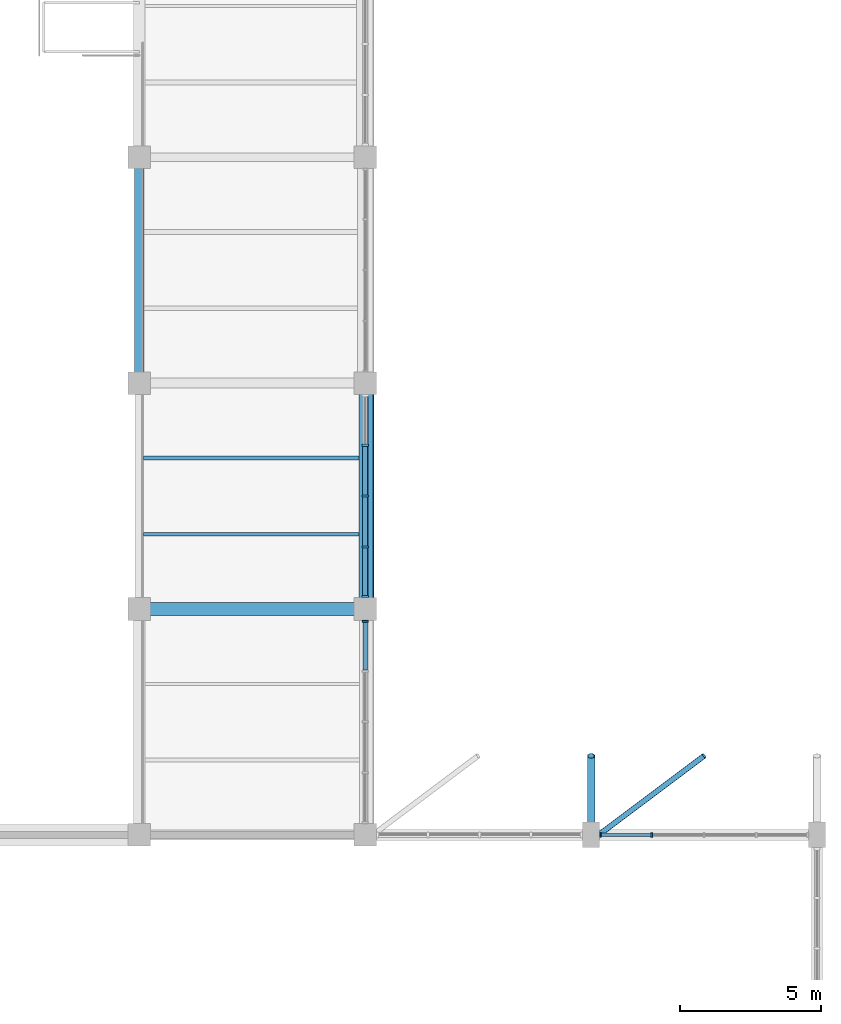
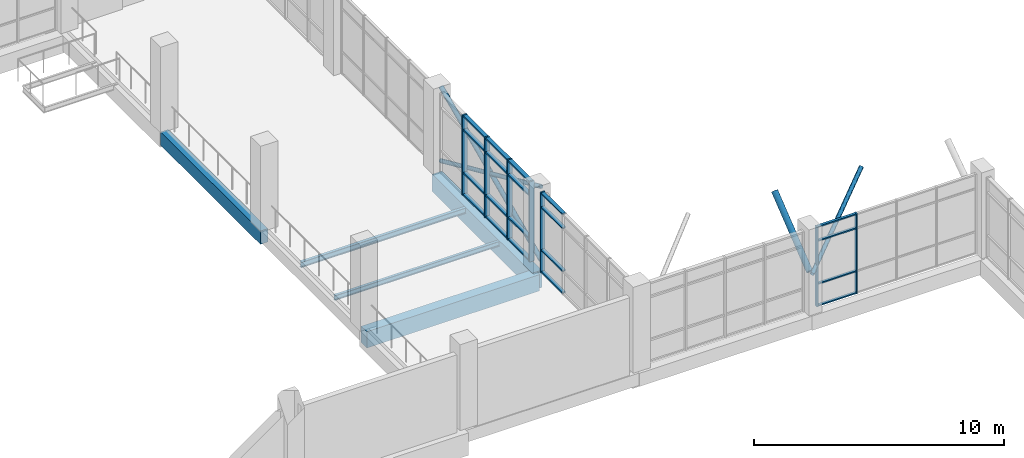
# One storey, part 44 of 84: 31 members, 5 beams, 3 elements without a shape of their own.
"""IFC4 building model written with IfcOpenShell, lengths in metres."""

from ifc_helpers import new_model, si_unit, direction, frame, origin, origin_2d, place, context, subcontext, project, spatial, rectangle, hollow_circle, i_section, extrude, material, material_profile, profile_set, type_object, element, aggregate, save


model = new_model("IFC4")

# Units and contexts
model_context = context("Model", 3, precision=1e-05, world=origin(), true_north=direction((0.0, 1.0)))
body_context = subcontext(model_context, "Body", "Model", "MODEL_VIEW")
ifc_project = project(units=[si_unit("LENGTHUNIT", "METRE"), si_unit("AREAUNIT", "SQUARE_METRE"), si_unit("VOLUMEUNIT", "CUBIC_METRE"), si_unit("PLANEANGLEUNIT", "RADIAN"), si_unit("MASSUNIT", "GRAM", prefix="KILO")], contexts=[model_context])

# Site, building, storey
site_placement = place(None, origin())
site = spatial("IfcSite", under=ifc_project, at=site_placement, CompositionType="ELEMENT")
building_placement = place(site_placement, origin())
building = spatial("IfcBuilding", under=site, at=building_placement, Name="Tenunan Teduh Sports Hall", CompositionType="ELEMENT")
storey_placement = place(building_placement, frame((0.0, 0.0, 10.800048828125)))
storey = spatial("IfcBuildingStorey", under=building, at=storey_placement, Name="L02", CompositionType="ELEMENT", Elevation=10.800048828125)

# Beams
ifc_material_1 = material(Name="Concrete C40/50", Category="concrete")
ifc_material_profile_1 = material_profile(ifc_material_1, rectangle(XDim=0.35009765625, YDim=0.64990234375, at=origin_2d()), Name="RCB 350x650")
ifc_profile_set_1 = profile_set([ifc_material_profile_1], Name="Concrete C40/50")
beam_type_1 = type_object("IfcBeamType", Name="BM-RC-350x650", PredefinedType="BEAM", material=ifc_profile_set_1)
beam_1_placement = place(storey_placement, frame((146.0, 62.0, -0.5849609375), z_axis=(0.0, 1.0, 0.0), x_axis=(-1.0, 0.0, 0.0)))
element("IfcBeam", 1, at=beam_1_placement, inside=storey, type_object=beam_type_1, Name="BM-B-05-L02-1655", PredefinedType="BEAM", context=body_context, shape_type="SweptSolid", body=[
    extrude(rectangle(XDim=0.35009765625, YDim=0.64990234375, at=origin_2d()), origin(), (0.0, 0.0, 1.0), 8.0),
])
ifc_material_2 = material(Name="Concrete C40/50", Category="concrete")
ifc_material_profile_2 = material_profile(ifc_material_2, rectangle(XDim=0.449951171875, YDim=0.800048828125, at=origin_2d()), Name="RCB 450x800")
ifc_profile_set_2 = profile_set([ifc_material_profile_2], Name="Concrete C40/50")
beam_type_2 = type_object("IfcBeamType", Name="BM-RC-450x800", PredefinedType="BEAM", material=ifc_profile_set_2)
beam_2_placement = place(storey_placement, frame((146.0, 54.0, -0.66015625), z_axis=(1.0, 0.0, 0.0), x_axis=(0.0, 1.0, 0.0)))
element("IfcBeam", 2, at=beam_2_placement, inside=storey, type_object=beam_type_2, Name="BM-B-12-L02-1477", PredefinedType="BEAM", context=body_context, shape_type="SweptSolid", body=[
    extrude(rectangle(XDim=0.449951171875, YDim=0.800048828125, at=origin_2d()), origin(), (0.0, 0.0, 1.0), 8.0),
])
ifc_material_3 = material(Name="Concrete C40/50", Category="concrete")
ifc_material_profile_3 = material_profile(ifc_material_3, rectangle(XDim=0.449951171875, YDim=0.85009765625, at=origin_2d()), Name="RCB 450x850")
ifc_profile_set_3 = profile_set([ifc_material_profile_3], Name="Concrete C40/50")
beam_type_3 = type_object("IfcBeamType", Name="BM-RC-450x850", PredefinedType="BEAM", material=ifc_profile_set_3)
beam_3_placement = place(storey_placement, frame((154.0, 54.0, -0.68505859375), z_axis=(0.0, 1.0, 0.0), x_axis=(-1.0, 0.0, 0.0)))
element("IfcBeam", 3, at=beam_3_placement, inside=storey, type_object=beam_type_3, Name="BM-B-13-L02-1662", PredefinedType="BEAM", context=body_context, shape_type="SweptSolid", body=[
    extrude(rectangle(XDim=0.449951171875, YDim=0.85009765625, at=origin_2d()), origin(), (0.0, 0.0, 1.0), 8.0),
])

# Curtain wall, members
ifc_material_4 = material(Name="Anodised aluminium", Category="aluminium")
curtain_wall_type_1 = type_object("IfcCurtainWallType", Name="CW-CLER-1", PredefinedType="NOTDEFINED", material=ifc_material_4)
curtain_wall_1_placement = place(storey_placement, origin())
curtain_wall_1 = element("IfcCurtainWall", 4, at=curtain_wall_1_placement, inside=storey, type_object=curtain_wall_type_1, Name="CW-CWM-150-L02-027", PredefinedType="NOTDEFINED")
ifc_material_5 = material(Name="Anodised aluminium", Category="aluminium")
ifc_material_profile_4 = material_profile(ifc_material_5, rectangle(XDim=0.06005859375, YDim=0.14990234375, at=origin_2d()), Name="CWM 60x150")
ifc_profile_set_4 = profile_set([ifc_material_profile_4], Name="Anodised aluminium")
member_type_1 = type_object("IfcMemberType", Name="CWM-150", PredefinedType="MULLION", material=ifc_profile_set_4)
member_1_placement = place(storey_placement, frame((162.330078125, 46.0, 0.0), z_axis=(0.0, 0.0, 1.0), x_axis=(1.0, 0.0, 0.0)))
member_1 = element("IfcMember", 5, at=member_1_placement, type_object=member_type_1, Name="CW-03 mullion 1", PredefinedType="MULLION", context=body_context, shape_type="SweptSolid", body=[
    extrude(rectangle(XDim=0.06005859375, YDim=0.14990234375, at=origin_2d()), origin(), (0.0, 0.0, 1.0), 3.919921875),
])
member_2_placement = place(storey_placement, frame((164.14990234375, 46.0, 0.0), z_axis=(0.0, 0.0, 1.0), x_axis=(1.0, 0.0, 0.0)))
member_2 = element("IfcMember", 6, at=member_2_placement, type_object=member_type_1, Name="CW-03 mullion 2", PredefinedType="MULLION", context=body_context, shape_type="SweptSolid", body=[
    extrude(rectangle(XDim=0.06005859375, YDim=0.14990234375, at=origin_2d()), origin(), (0.0, 0.0, 1.0), 3.919921875),
])

# Curtain wall, member
ifc_material_6 = material(Name="Anodised aluminium", Category="aluminium")
curtain_wall_type_2 = type_object("IfcCurtainWallType", Name="CW-UNIT-2", PredefinedType="NOTDEFINED", material=ifc_material_6)
curtain_wall_2_placement = place(storey_placement, origin())
curtain_wall_2 = element("IfcCurtainWall", 7, at=curtain_wall_2_placement, inside=storey, type_object=curtain_wall_type_2, Name="CW-CWM-200-L02-132", PredefinedType="NOTDEFINED")
ifc_material_7 = material(Name="Anodised aluminium", Category="aluminium")
ifc_material_profile_5 = material_profile(ifc_material_7, rectangle(XDim=0.070068359375, YDim=0.199951171875, at=origin_2d()), Name="CWM 70x200")
ifc_profile_set_5 = profile_set([ifc_material_profile_5], Name="Anodised aluminium")
member_type_2 = type_object("IfcMemberType", Name="CWM-200", PredefinedType="MULLION", material=ifc_profile_set_5)
member_3_placement = place(storey_placement, frame((154.0, 53.56494140625, 0.0), z_axis=(0.0, 0.0, 1.0), x_axis=(0.0, 1.0, 0.0)))
member_3 = element("IfcMember", 8, at=member_3_placement, type_object=member_type_2, Name="CW-02 mullion 5", PredefinedType="MULLION", context=body_context, shape_type="SweptSolid", body=[
    extrude(rectangle(XDim=0.070068359375, YDim=0.199951171875, at=origin_2d()), origin(), (0.0, 0.0, 1.0), 3.919921875),
])

# Curtain wall, members
curtain_wall_3_placement = place(storey_placement, origin())
curtain_wall_3 = element("IfcCurtainWall", 9, at=curtain_wall_3_placement, inside=storey, type_object=curtain_wall_type_2, Name="CW-CWM-220-L02-133", PredefinedType="NOTDEFINED")
ifc_material_8 = material(Name="Anodised aluminium", Category="aluminium")
ifc_material_profile_6 = material_profile(ifc_material_8, rectangle(XDim=0.074951171875, YDim=0.219970703125, at=origin_2d()), Name="CWM 75x220")
ifc_profile_set_6 = profile_set([ifc_material_profile_6], Name="Anodised aluminium")
member_type_3 = type_object("IfcMemberType", Name="CWM-220", PredefinedType="MULLION", material=ifc_profile_set_6)
member_4_placement = place(storey_placement, frame((154.0, 54.4375, 0.0), z_axis=(0.0, 0.0, 1.0), x_axis=(0.0, 1.0, 0.0)))
member_4 = element("IfcMember", 10, at=member_4_placement, type_object=member_type_3, Name="CW-02 mullion 1", PredefinedType="MULLION", context=body_context, shape_type="SweptSolid", body=[
    extrude(rectangle(XDim=0.074951171875, YDim=0.219970703125, at=origin_2d()), origin(), (0.0, 0.0, 1.0), 3.919921875),
])
member_5_placement = place(storey_placement, frame((154.0, 56.199951171875, 0.0), z_axis=(0.0, 0.0, 1.0), x_axis=(0.0, 1.0, 0.0)))
member_5 = element("IfcMember", 11, at=member_5_placement, type_object=member_type_3, Name="CW-02 mullion 2", PredefinedType="MULLION", context=body_context, shape_type="SweptSolid", body=[
    extrude(rectangle(XDim=0.074951171875, YDim=0.219970703125, at=origin_2d()), origin(), (0.0, 0.0, 1.0), 3.919921875),
])
member_6_placement = place(storey_placement, frame((154.0, 58.0, 0.0), z_axis=(0.0, 0.0, 1.0), x_axis=(0.0, 1.0, 0.0)))
member_6 = element("IfcMember", 12, at=member_6_placement, type_object=member_type_3, Name="CW-02 mullion 3", PredefinedType="MULLION", context=body_context, shape_type="SweptSolid", body=[
    extrude(rectangle(XDim=0.074951171875, YDim=0.219970703125, at=origin_2d()), origin(), (0.0, 0.0, 1.0), 3.919921875),
])
member_7_placement = place(storey_placement, frame((154.0, 59.800048828125, 0.0), z_axis=(0.0, 0.0, 1.0), x_axis=(0.0, 1.0, 0.0)))
member_7 = element("IfcMember", 13, at=member_7_placement, type_object=member_type_3, Name="CW-02 mullion 4", PredefinedType="MULLION", context=body_context, shape_type="SweptSolid", body=[
    extrude(rectangle(XDim=0.074951171875, YDim=0.219970703125, at=origin_2d()), origin(), (0.0, 0.0, 1.0), 3.919921875),
])

# Member
ifc_material_9 = material(Name="Anodised aluminium", Category="aluminium")
ifc_material_profile_7 = material_profile(ifc_material_9, rectangle(XDim=0.06005859375, YDim=0.1201171875, at=origin_2d()), Name="CWT 60x120")
ifc_profile_set_7 = profile_set([ifc_material_profile_7], Name="Anodised aluminium")
member_type_4 = type_object("IfcMemberType", Name="CWT-125", PredefinedType="USERDEFINED", material=ifc_profile_set_7)
member_8_placement = place(storey_placement, frame((162.360107421875, 46.0, 0.030029296875), z_axis=(1.0, 0.0, 0.0), x_axis=(0.0, 0.0, 1.0)))
member_8 = element("IfcMember", 14, at=member_8_placement, type_object=member_type_4, Name="CW-03 transom 1.1", ObjectType="TRANSOM", PredefinedType="USERDEFINED", context=body_context, shape_type="SweptSolid", body=[
    extrude(rectangle(XDim=0.06005859375, YDim=0.1201171875, at=origin_2d()), origin(), (0.0, 0.0, 1.0), 1.760009765625),
])

member_9_placement = place(storey_placement, frame((162.360107421875, 46.0, 1.099853515625), z_axis=(1.0, 0.0, 0.0), x_axis=(0.0, 0.0, 1.0)))
member_9 = element("IfcMember", 15, at=member_9_placement, type_object=member_type_4, Name="CW-03 transom 1.2", ObjectType="TRANSOM", PredefinedType="USERDEFINED", context=body_context, shape_type="SweptSolid", body=[
    extrude(rectangle(XDim=0.06005859375, YDim=0.1201171875, at=origin_2d()), origin(), (0.0, 0.0, 1.0), 1.760009765625),
])

member_10_placement = place(storey_placement, frame((162.360107421875, 46.0, 3.199951171875), z_axis=(1.0, 0.0, 0.0), x_axis=(0.0, 0.0, 1.0)))
member_10 = element("IfcMember", 16, at=member_10_placement, type_object=member_type_4, Name="CW-03 transom 1.3", ObjectType="TRANSOM", PredefinedType="USERDEFINED", context=body_context, shape_type="SweptSolid", body=[
    extrude(rectangle(XDim=0.06005859375, YDim=0.1201171875, at=origin_2d()), origin(), (0.0, 0.0, 1.0), 1.760009765625),
])

member_11_placement = place(storey_placement, frame((162.360107421875, 46.0, 3.889892578125), z_axis=(1.0, 0.0, 0.0), x_axis=(0.0, 0.0, 1.0)))
member_11 = element("IfcMember", 17, at=member_11_placement, type_object=member_type_4, Name="CW-03 transom 1.4", ObjectType="TRANSOM", PredefinedType="USERDEFINED", context=body_context, shape_type="SweptSolid", body=[
    extrude(rectangle(XDim=0.06005859375, YDim=0.1201171875, at=origin_2d()), origin(), (0.0, 0.0, 1.0), 1.760009765625),
])

aggregate(curtain_wall_1, [member_1, member_2, member_8, member_9, member_10, member_11])

ifc_material_10 = material(Name="Anodised aluminium", Category="aluminium")
ifc_material_profile_8 = material_profile(ifc_material_10, rectangle(XDim=0.074951171875, YDim=0.179931640625, at=origin_2d()), Name="CWT 75x180")
ifc_profile_set_8 = profile_set([ifc_material_profile_8], Name="Anodised aluminium")
member_type_5 = type_object("IfcMemberType", Name="CWT-180", PredefinedType="USERDEFINED", material=ifc_profile_set_8)
member_12_placement = place(storey_placement, frame((154.0, 54.47509765625, 0.037353515625), z_axis=(0.0, 1.0, 0.0), x_axis=(0.0, 0.0, 1.0)))
member_12 = element("IfcMember", 18, at=member_12_placement, type_object=member_type_5, Name="CW-02 transom 1.1", ObjectType="TRANSOM", PredefinedType="USERDEFINED", context=body_context, shape_type="SweptSolid", body=[
    extrude(rectangle(XDim=0.074951171875, YDim=0.179931640625, at=origin_2d()), origin(), (0.0, 0.0, 1.0), 1.6875),
])

member_13_placement = place(storey_placement, frame((154.0, 54.47509765625, 1.099853515625), z_axis=(0.0, 1.0, 0.0), x_axis=(0.0, 0.0, 1.0)))
member_13 = element("IfcMember", 19, at=member_13_placement, type_object=member_type_5, Name="CW-02 transom 1.2", ObjectType="TRANSOM", PredefinedType="USERDEFINED", context=body_context, shape_type="SweptSolid", body=[
    extrude(rectangle(XDim=0.074951171875, YDim=0.179931640625, at=origin_2d()), origin(), (0.0, 0.0, 1.0), 1.6875),
])

member_14_placement = place(storey_placement, frame((154.0, 54.47509765625, 3.199951171875), z_axis=(0.0, 1.0, 0.0), x_axis=(0.0, 0.0, 1.0)))
member_14 = element("IfcMember", 20, at=member_14_placement, type_object=member_type_5, Name="CW-02 transom 1.3", ObjectType="TRANSOM", PredefinedType="USERDEFINED", context=body_context, shape_type="SweptSolid", body=[
    extrude(rectangle(XDim=0.074951171875, YDim=0.179931640625, at=origin_2d()), origin(), (0.0, 0.0, 1.0), 1.6875),
])

member_15_placement = place(storey_placement, frame((154.0, 54.47509765625, 3.882568359375), z_axis=(0.0, 1.0, 0.0), x_axis=(0.0, 0.0, 1.0)))
member_15 = element("IfcMember", 21, at=member_15_placement, type_object=member_type_5, Name="CW-02 transom 1.4", ObjectType="TRANSOM", PredefinedType="USERDEFINED", context=body_context, shape_type="SweptSolid", body=[
    extrude(rectangle(XDim=0.074951171875, YDim=0.179931640625, at=origin_2d()), origin(), (0.0, 0.0, 1.0), 1.6875),
])

member_16_placement = place(storey_placement, frame((154.0, 56.237548828125, 0.037353515625), z_axis=(0.0, 1.0, 0.0), x_axis=(0.0, 0.0, 1.0)))
member_16 = element("IfcMember", 22, at=member_16_placement, type_object=member_type_5, Name="CW-02 transom 2.1", ObjectType="TRANSOM", PredefinedType="USERDEFINED", context=body_context, shape_type="SweptSolid", body=[
    extrude(rectangle(XDim=0.074951171875, YDim=0.179931640625, at=origin_2d()), origin(), (0.0, 0.0, 1.0), 1.724853515625),
])

member_17_placement = place(storey_placement, frame((154.0, 56.237548828125, 1.099853515625), z_axis=(0.0, 1.0, 0.0), x_axis=(0.0, 0.0, 1.0)))
member_17 = element("IfcMember", 23, at=member_17_placement, type_object=member_type_5, Name="CW-02 transom 2.2", ObjectType="TRANSOM", PredefinedType="USERDEFINED", context=body_context, shape_type="SweptSolid", body=[
    extrude(rectangle(XDim=0.074951171875, YDim=0.179931640625, at=origin_2d()), origin(), (0.0, 0.0, 1.0), 1.724853515625),
])

member_18_placement = place(storey_placement, frame((154.0, 56.237548828125, 3.199951171875), z_axis=(0.0, 1.0, 0.0), x_axis=(0.0, 0.0, 1.0)))
member_18 = element("IfcMember", 24, at=member_18_placement, type_object=member_type_5, Name="CW-02 transom 2.3", ObjectType="TRANSOM", PredefinedType="USERDEFINED", context=body_context, shape_type="SweptSolid", body=[
    extrude(rectangle(XDim=0.074951171875, YDim=0.179931640625, at=origin_2d()), origin(), (0.0, 0.0, 1.0), 1.724853515625),
])

member_19_placement = place(storey_placement, frame((154.0, 56.237548828125, 3.882568359375), z_axis=(0.0, 1.0, 0.0), x_axis=(0.0, 0.0, 1.0)))
member_19 = element("IfcMember", 25, at=member_19_placement, type_object=member_type_5, Name="CW-02 transom 2.4", ObjectType="TRANSOM", PredefinedType="USERDEFINED", context=body_context, shape_type="SweptSolid", body=[
    extrude(rectangle(XDim=0.074951171875, YDim=0.179931640625, at=origin_2d()), origin(), (0.0, 0.0, 1.0), 1.724853515625),
])

member_20_placement = place(storey_placement, frame((154.0, 58.03759765625, 0.037353515625), z_axis=(0.0, 1.0, 0.0), x_axis=(0.0, 0.0, 1.0)))
member_20 = element("IfcMember", 26, at=member_20_placement, type_object=member_type_5, Name="CW-02 transom 3.1", ObjectType="TRANSOM", PredefinedType="USERDEFINED", context=body_context, shape_type="SweptSolid", body=[
    extrude(rectangle(XDim=0.074951171875, YDim=0.179931640625, at=origin_2d()), origin(), (0.0, 0.0, 1.0), 1.724853515625),
])

member_21_placement = place(storey_placement, frame((154.0, 58.03759765625, 1.099853515625), z_axis=(0.0, 1.0, 0.0), x_axis=(0.0, 0.0, 1.0)))
member_21 = element("IfcMember", 27, at=member_21_placement, type_object=member_type_5, Name="CW-02 transom 3.2", ObjectType="TRANSOM", PredefinedType="USERDEFINED", context=body_context, shape_type="SweptSolid", body=[
    extrude(rectangle(XDim=0.074951171875, YDim=0.179931640625, at=origin_2d()), origin(), (0.0, 0.0, 1.0), 1.724853515625),
])

member_22_placement = place(storey_placement, frame((154.0, 58.03759765625, 3.199951171875), z_axis=(0.0, 1.0, 0.0), x_axis=(0.0, 0.0, 1.0)))
member_22 = element("IfcMember", 28, at=member_22_placement, type_object=member_type_5, Name="CW-02 transom 3.3", ObjectType="TRANSOM", PredefinedType="USERDEFINED", context=body_context, shape_type="SweptSolid", body=[
    extrude(rectangle(XDim=0.074951171875, YDim=0.179931640625, at=origin_2d()), origin(), (0.0, 0.0, 1.0), 1.724853515625),
])

member_23_placement = place(storey_placement, frame((154.0, 58.03759765625, 3.882568359375), z_axis=(0.0, 1.0, 0.0), x_axis=(0.0, 0.0, 1.0)))
member_23 = element("IfcMember", 29, at=member_23_placement, type_object=member_type_5, Name="CW-02 transom 3.4", ObjectType="TRANSOM", PredefinedType="USERDEFINED", context=body_context, shape_type="SweptSolid", body=[
    extrude(rectangle(XDim=0.074951171875, YDim=0.179931640625, at=origin_2d()), origin(), (0.0, 0.0, 1.0), 1.724853515625),
])

aggregate(curtain_wall_3, [member_4, member_5, member_6, member_7, member_12, member_13, member_14, member_15, member_16, member_17, member_18, member_19, member_20, member_21, member_22, member_23])

ifc_material_11 = material(Name="Anodised aluminium", Category="aluminium")
ifc_material_profile_9 = material_profile(ifc_material_11, rectangle(XDim=0.070068359375, YDim=0.159912109375, at=origin_2d()), Name="CWT 70x160")
ifc_profile_set_9 = profile_set([ifc_material_profile_9], Name="Anodised aluminium")
member_type_6 = type_object("IfcMemberType", Name="CWT-200", PredefinedType="USERDEFINED", material=ifc_profile_set_9)
member_24_placement = place(storey_placement, frame((154.0, 51.8349609375, 0.034912109375), z_axis=(0.0, 1.0, 0.0), x_axis=(0.0, 0.0, 1.0)))
member_24 = element("IfcMember", 30, at=member_24_placement, type_object=member_type_6, Name="CW-02 transom 4.1", ObjectType="TRANSOM", PredefinedType="USERDEFINED", context=body_context, shape_type="SweptSolid", body=[
    extrude(rectangle(XDim=0.070068359375, YDim=0.159912109375, at=origin_2d()), origin(), (0.0, 0.0, 1.0), 1.695068359375),
])

member_25_placement = place(storey_placement, frame((154.0, 51.8349609375, 1.099853515625), z_axis=(0.0, 1.0, 0.0), x_axis=(0.0, 0.0, 1.0)))
member_25 = element("IfcMember", 31, at=member_25_placement, type_object=member_type_6, Name="CW-02 transom 4.2", ObjectType="TRANSOM", PredefinedType="USERDEFINED", context=body_context, shape_type="SweptSolid", body=[
    extrude(rectangle(XDim=0.070068359375, YDim=0.159912109375, at=origin_2d()), origin(), (0.0, 0.0, 1.0), 1.695068359375),
])

member_26_placement = place(storey_placement, frame((154.0, 51.8349609375, 3.199951171875), z_axis=(0.0, 1.0, 0.0), x_axis=(0.0, 0.0, 1.0)))
member_26 = element("IfcMember", 32, at=member_26_placement, type_object=member_type_6, Name="CW-02 transom 4.3", ObjectType="TRANSOM", PredefinedType="USERDEFINED", context=body_context, shape_type="SweptSolid", body=[
    extrude(rectangle(XDim=0.070068359375, YDim=0.159912109375, at=origin_2d()), origin(), (0.0, 0.0, 1.0), 1.695068359375),
])

member_27_placement = place(storey_placement, frame((154.0, 51.8349609375, 3.885009765625), z_axis=(0.0, 1.0, 0.0), x_axis=(0.0, 0.0, 1.0)))
member_27 = element("IfcMember", 33, at=member_27_placement, type_object=member_type_6, Name="CW-02 transom 4.4", ObjectType="TRANSOM", PredefinedType="USERDEFINED", context=body_context, shape_type="SweptSolid", body=[
    extrude(rectangle(XDim=0.070068359375, YDim=0.159912109375, at=origin_2d()), origin(), (0.0, 0.0, 1.0), 1.695068359375),
])

aggregate(curtain_wall_2, [member_3, member_24, member_25, member_26, member_27])

# Beams
ifc_material_12 = material(Name="Steel S355", Category="steel")
ifc_material_profile_10 = material_profile(ifc_material_12, i_section(OverallWidth=0.1201171875, OverallDepth=0.239990234375, WebThickness=0.006103515625, FlangeThickness=0.009765625, FilletRadius=0.014892578125, at=origin_2d()), Name="IPE 240")
ifc_profile_set_10 = profile_set([ifc_material_profile_10], Name="Steel S355")
beam_type_4 = type_object("IfcBeamType", Name="JST-IPE240", PredefinedType="JOIST", material=ifc_profile_set_10)
beam_4_placement = place(storey_placement, frame((146.14990234375, 56.64990234375, -0.380126953125), z_axis=(1.0, 0.0, 0.0), x_axis=(0.0, 1.0, 0.0)))
element("IfcBeam", 34, at=beam_4_placement, inside=storey, type_object=beam_type_4, Name="BM-J-02-L02-1792", PredefinedType="JOIST", context=body_context, shape_type="SweptSolid", body=[
    extrude(i_section(OverallWidth=0.1201171875, OverallDepth=0.239990234375, WebThickness=0.006103515625, FlangeThickness=0.009765625, FilletRadius=0.014892578125, at=origin_2d()), origin(), (0.0, 0.0, 1.0), 7.625),
])
ifc_material_13 = material(Name="Steel S355", Category="steel")
ifc_material_profile_11 = material_profile(ifc_material_13, i_section(OverallWidth=0.135009765625, OverallDepth=0.27001953125, WebThickness=0.006591796875, FlangeThickness=0.01025390625, FilletRadius=0.014892578125, at=origin_2d()), Name="IPE 270")
ifc_profile_set_11 = profile_set([ifc_material_profile_11], Name="Steel S355")
beam_type_5 = type_object("IfcBeamType", Name="JST-IPE270", PredefinedType="JOIST", material=ifc_profile_set_11)
beam_5_placement = place(storey_placement, frame((146.14990234375, 59.35009765625, -0.39501953125), z_axis=(1.0, 0.0, 0.0), x_axis=(0.0, 1.0, 0.0)))
element("IfcBeam", 35, at=beam_5_placement, inside=storey, type_object=beam_type_5, Name="BM-J-03-L02-1793", PredefinedType="JOIST", context=body_context, shape_type="SweptSolid", body=[
    extrude(i_section(OverallWidth=0.135009765625, OverallDepth=0.27001953125, WebThickness=0.006591796875, FlangeThickness=0.01025390625, FilletRadius=0.014892578125, at=origin_2d()), origin(), (0.0, 0.0, 1.0), 7.625),
])

# Members
ifc_material_14 = material(Name="Steel S355", Category="steel")
ifc_material_profile_12 = material_profile(ifc_material_14, hollow_circle(Radius=0.096923828125, WallThickness=0.008056640625, at=origin_2d()), Name="CHS 193.7x8.0")
ifc_profile_set_12 = profile_set([ifc_material_profile_12], Name="Steel S355")
member_type_7 = type_object("IfcMemberType", Name="MEM-BR-CHS194", PredefinedType="BRACE", material=ifc_profile_set_12)
member_28_placement = place(storey_placement, frame((162.0, 45.800048828125, 1.800048828125), z_axis=(0.741953988279, 0.556465491209, 0.373965822462), x_axis=(-0.6, 0.8, 0.0)))
element("IfcMember", 36, at=member_28_placement, inside=storey, type_object=member_type_7, Name="MEM-GD-03-L02-0083", PredefinedType="BRACE", context=body_context, shape_type="SweptSolid", body=[
    extrude(hollow_circle(Radius=0.096923828125, WallThickness=0.008056640625, at=origin_2d()), origin(), (0.0, 0.0, 1.0), 5.39111328125),
])
member_29_placement = place(storey_placement, frame((154.18994140625, 62.0, 0.25), z_axis=(0.0, -0.911927753762, 0.410350791297), x_axis=(1.0, 0.0, 0.0)))
element("IfcMember", 37, at=member_29_placement, inside=storey, type_object=member_type_7, Name="MEM-GD-03-L02-1087", PredefinedType="BRACE", context=body_context, shape_type="SweptSolid", body=[
    extrude(hollow_circle(Radius=0.096923828125, WallThickness=0.008056640625, at=origin_2d()), origin(), (0.0, 0.0, 1.0), 8.772705078125),
])
ifc_material_15 = material(Name="Steel S355", Category="steel")
ifc_material_profile_13 = material_profile(ifc_material_15, hollow_circle(Radius=0.109619140625, WallThickness=0.010009765625, at=origin_2d()), Name="CHS 219.1x10.0")
ifc_profile_set_13 = profile_set([ifc_material_profile_13], Name="Steel S355")
member_type_8 = type_object("IfcMemberType", Name="MEM-BR-CHS219", PredefinedType="BRACE", material=ifc_profile_set_13)
member_30_placement = place(storey_placement, frame((154.199951171875, 54.0, 0.25), z_axis=(0.0, 0.911927753762, 0.410350791297), x_axis=(-1.0, 0.0, 0.0)))
element("IfcMember", 38, at=member_30_placement, inside=storey, type_object=member_type_8, Name="MEM-GD-02-L02-1086", PredefinedType="BRACE", context=body_context, shape_type="SweptSolid", body=[
    extrude(hollow_circle(Radius=0.109619140625, WallThickness=0.010009765625, at=origin_2d()), origin(), (0.0, 0.0, 1.0), 8.772705078125),
])
ifc_material_16 = material(Name="Steel S355", Category="steel")
ifc_material_profile_14 = material_profile(ifc_material_16, hollow_circle(Radius=0.136474609375, WallThickness=0.010009765625, at=origin_2d()), Name="CHS 273.0x10.0")
ifc_profile_set_14 = profile_set([ifc_material_profile_14], Name="Steel S355")
member_type_9 = type_object("IfcMemberType", Name="MEM-ST-CHS273", PredefinedType="STRUT", material=ifc_profile_set_14)
member_31_placement = place(storey_placement, frame((162.0, 46.0, 1.800048828125), z_axis=(0.0, 0.781573047842, 0.623813730922), x_axis=(-1.0, 0.0, 0.0)))
element("IfcMember", 39, at=member_31_placement, inside=storey, type_object=member_type_9, Name="MEM-VS-04-L02-0075", PredefinedType="STRUT", context=body_context, shape_type="SweptSolid", body=[
    extrude(hollow_circle(Radius=0.136474609375, WallThickness=0.010009765625, at=origin_2d()), origin(), (0.0, 0.0, 1.0), 3.58251953125),
])

save(model, "model.ifc")
